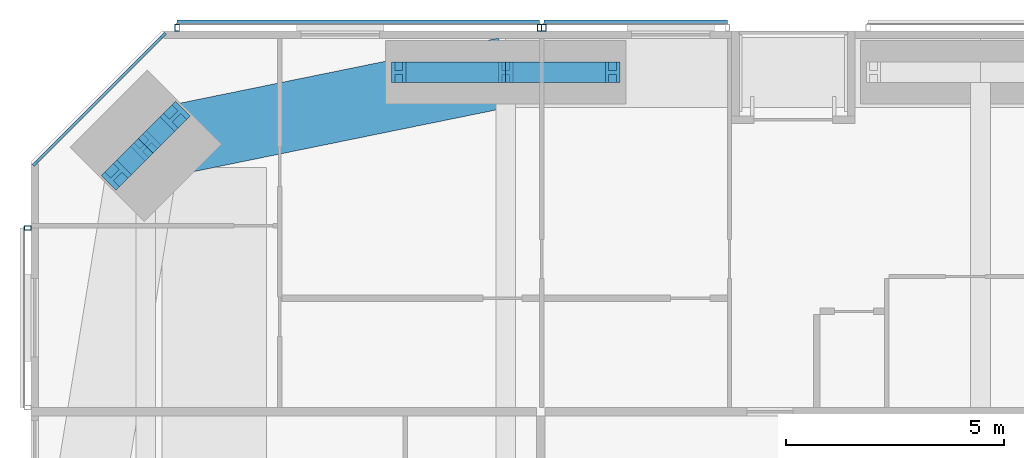
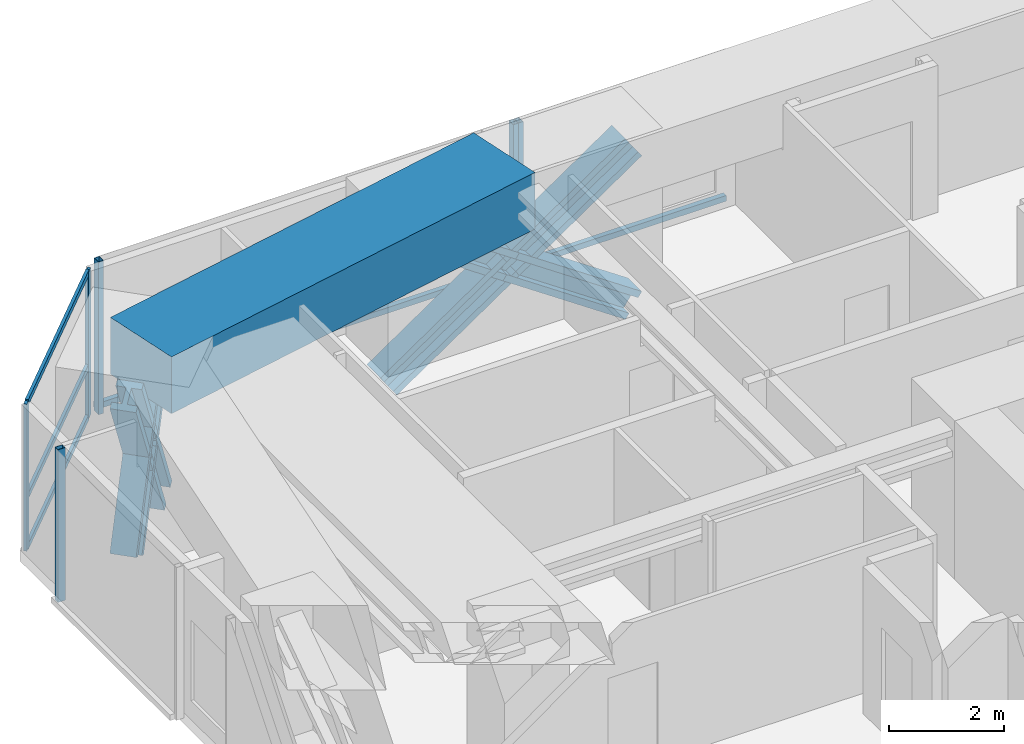
# One storey, part 12 of 24: 19 members, 1 beam, 4 elements without a shape of their own.
"""IFC4 building model written with IfcOpenShell, lengths in metres."""

from ifc_helpers import new_model, si_unit, direction, frame, origin, origin_2d, place, context, subcontext, project, spatial, rectangle, hollow_rectangle, i_section, extrude, material, material_profile, profile_set, type_object, element, aggregate, save


model = new_model("IFC4")

# Units and contexts
model_context = context("Model", 3, precision=1e-05, world=origin(), true_north=direction((0.0, 1.0)))
body_context = subcontext(model_context, "Body", "Model", "MODEL_VIEW")
ifc_project = project(units=[si_unit("LENGTHUNIT", "METRE"), si_unit("AREAUNIT", "SQUARE_METRE"), si_unit("VOLUMEUNIT", "CUBIC_METRE"), si_unit("PLANEANGLEUNIT", "RADIAN"), si_unit("MASSUNIT", "GRAM", prefix="KILO")], contexts=[model_context])

# Site, building, storey
site_placement = place(None, origin())
site = spatial("IfcSite", under=ifc_project, at=site_placement, CompositionType="ELEMENT")
building_placement = place(site_placement, origin())
building = spatial("IfcBuilding", under=site, at=building_placement, Name="Jalousie Tower", CompositionType="ELEMENT")
storey_placement = place(building_placement, frame((0.0, 0.0, 124.949951171875)))
storey = spatial("IfcBuildingStorey", under=building, at=storey_placement, Name="L34", CompositionType="ELEMENT", Elevation=124.949951171875)

# Curtain wall, members
ifc_material_1 = material(Name="Aluminium curtain wall", Category="aluminium")
curtain_wall_type_1 = type_object("IfcCurtainWallType", Name="CORNER WINDOW WALL", PredefinedType="USERDEFINED", material=ifc_material_1)
curtain_wall_1_placement = place(storey_placement, origin())
curtain_wall_1 = element("IfcCurtainWall", 1, at=curtain_wall_1_placement, inside=storey, type_object=curtain_wall_type_1, Name="Corner Window Wall L34 6", ObjectType="CORNER WINDOW WALL", PredefinedType="USERDEFINED")
ifc_material_2 = material(Name="Aluminium mullion", Category="aluminium")
ifc_material_profile_1 = material_profile(ifc_material_2, rectangle(XDim=0.06005859375, YDim=0.14990234375, at=origin_2d()), Name="MULLION 60x150")
ifc_profile_set_1 = profile_set([ifc_material_profile_1], Name="Aluminium mullion")
member_type_1 = type_object("IfcMemberType", Name="CORNER WINDOW WALL MULLION", PredefinedType="MULLION", material=ifc_profile_set_1)
member_1_placement = place(storey_placement, frame((9.030029296875, 37.891357421875, 0.0), z_axis=(0.0, 0.0, 1.0), x_axis=(0.707106781187, -0.707106781187, 0.0)))
member_1 = element("IfcMember", 2, at=member_1_placement, type_object=member_type_1, Name="CW-C mullion 1", PredefinedType="MULLION", context=body_context, shape_type="SweptSolid", body=[
    extrude(rectangle(XDim=0.06005859375, YDim=0.14990234375, at=origin_2d()), origin(), (0.0, 0.0, 1.0), 3.110107421875),
])
member_2_placement = place(storey_placement, frame((6.108642578125, 34.969970703125, 0.0), z_axis=(0.0, 0.0, 1.0), x_axis=(0.707106781187, -0.707106781187, 0.0)))
member_2 = element("IfcMember", 3, at=member_2_placement, type_object=member_type_1, Name="CW-C mullion 2", PredefinedType="MULLION", context=body_context, shape_type="SweptSolid", body=[
    extrude(rectangle(XDim=0.06005859375, YDim=0.14990234375, at=origin_2d()), origin(), (0.0, 0.0, 1.0), 3.110107421875),
])
ifc_material_3 = material(Name="Aluminium transom", Category="aluminium")
ifc_material_profile_2 = material_profile(ifc_material_3, rectangle(XDim=0.06005859375, YDim=0.1201171875, at=origin_2d()), Name="TRANSOM 60x120")
ifc_profile_set_2 = profile_set([ifc_material_profile_2], Name="Aluminium transom")
member_type_2 = type_object("IfcMemberType", Name="CORNER WINDOW WALL TRANSOM", PredefinedType="USERDEFINED", material=ifc_profile_set_2)
member_3_placement = place(storey_placement, frame((9.0087890625, 37.8701171875, 0.030029296875), z_axis=(-0.707106781187, -0.707106781187, 0.0), x_axis=(0.707106781187, -0.707106781187, 0.0)))
member_3 = element("IfcMember", 4, at=member_3_placement, type_object=member_type_2, Name="CW-C transom 1.1", ObjectType="TRANSOM", PredefinedType="USERDEFINED", context=body_context, shape_type="SweptSolid", body=[
    extrude(rectangle(XDim=0.06005859375, YDim=0.1201171875, at=origin_2d()), origin(), (0.0, 0.0, 1.0), 4.0712890625),
])
member_4_placement = place(storey_placement, frame((9.0087890625, 37.8701171875, 1.10009765625), z_axis=(-0.707106781187, -0.707106781187, 0.0), x_axis=(0.707106781187, -0.707106781187, 0.0)))
member_4 = element("IfcMember", 5, at=member_4_placement, type_object=member_type_2, Name="CW-C transom 1.2", ObjectType="TRANSOM", PredefinedType="USERDEFINED", context=body_context, shape_type="SweptSolid", body=[
    extrude(rectangle(XDim=0.06005859375, YDim=0.1201171875, at=origin_2d()), origin(), (0.0, 0.0, 1.0), 4.0712890625),
])
member_5_placement = place(storey_placement, frame((9.0087890625, 37.8701171875, 3.080078125), z_axis=(-0.707106781187, -0.707106781187, 0.0), x_axis=(0.707106781187, -0.707106781187, 0.0)))
member_5 = element("IfcMember", 6, at=member_5_placement, type_object=member_type_2, Name="CW-C transom 1.3", ObjectType="TRANSOM", PredefinedType="USERDEFINED", context=body_context, shape_type="SweptSolid", body=[
    extrude(rectangle(XDim=0.06005859375, YDim=0.1201171875, at=origin_2d()), origin(), (0.0, 0.0, 1.0), 4.0712890625),
])
aggregate(curtain_wall_1, [member_1, member_2, member_3, member_4, member_5])

# Members
ifc_material_4 = material(Name="Steel ASTM A992 Grade 50", Category="steel")
ifc_material_profile_3 = material_profile(ifc_material_4, i_section(OverallWidth=0.472412109375, OverallDepth=0.5791015625, WebThickness=0.094970703125, FlangeThickness=0.1298828125, at=origin_2d()), Name="W14X808")
ifc_profile_set_3 = profile_set([ifc_material_profile_3], Name="Steel ASTM A992 Grade 50")
member_type_3 = type_object("IfcMemberType", Name="PERIMETER BRACE W14X808", PredefinedType="BRACE", material=ifc_profile_set_3)
for number, where, z_axis, x_axis, name in (
    (7, (14.425048828125, 37.050048828125, -0.599853515625), (0.825539243753, 0.0, 0.564344714713), (0.0, 1.0, 0.0), "Perimeter brace 11 L34 part 1"),
    (8, (16.875, 37.050048828125, 1.074951171875), (0.825500916831, 0.0, 0.564400776321), (0.0, 1.0, 0.0), "Perimeter brace 11 L34 part 2"),
    (9, (19.324951171875, 37.050048828125, -0.599853515625), (-0.825539243753, 0.0, 0.564344714713), (0.0, -1.0, 0.0), "Perimeter brace 11 L34 part 3"),
    (10, (16.875, 37.050048828125, 1.074951171875), (-0.825500916831, 0.0, 0.564400776321), (0.0, -1.0, 0.0), "Perimeter brace 11 L34 part 4"),
):
    element("IfcMember", number, at=place(storey_placement, frame(where, z_axis=z_axis, x_axis=x_axis)), inside=storey, type_object=member_type_3, Name=name, PredefinedType="BRACE", context=body_context, shape_type="SweptSolid", body=[
        extrude(i_section(OverallWidth=0.472412109375, OverallDepth=0.5791015625, WebThickness=0.094970703125, FlangeThickness=0.1298828125, at=origin_2d()), origin(), (0.0, 0.0, 1.0), 2.9677734375),
    ])
member_6_placement = place(storey_placement, frame((9.302978515625, 36.040283203125, -0.599853515625), z_axis=(-0.348827529765, -0.348827529765, 0.869849819771), x_axis=(0.707106781187, -0.707106781187, 0.0)))
element("IfcMember", 11, at=member_6_placement, inside=storey, type_object=member_type_3, Name="Perimeter brace 12 L34 part 1", PredefinedType="BRACE", context=body_context, shape_type="SweptSolid", body=[
    extrude(i_section(OverallWidth=0.472412109375, OverallDepth=0.5791015625, WebThickness=0.094970703125, FlangeThickness=0.1298828125, at=origin_2d()), origin(), (0.0, 0.0, 1.0), 1.92529296875),
])
member_7_placement = place(storey_placement, frame((8.63134765625, 35.36865234375, 1.074951171875), z_axis=(-0.348789058631, -0.348789058631, 0.869880672943), x_axis=(0.707106781187, -0.707106781187, 0.0)))
element("IfcMember", 12, at=member_7_placement, inside=storey, type_object=member_type_3, Name="Perimeter brace 12 L34 part 2", PredefinedType="BRACE", context=body_context, shape_type="SweptSolid", body=[
    extrude(i_section(OverallWidth=0.472412109375, OverallDepth=0.5791015625, WebThickness=0.094970703125, FlangeThickness=0.1298828125, at=origin_2d()), origin(), (0.0, 0.0, 1.0), 1.925537109375),
])
member_8_placement = place(storey_placement, frame((7.959716796875, 34.697021484375, -0.599853515625), z_axis=(0.348827529765, 0.348827529765, 0.869849819771), x_axis=(-0.707106781187, 0.707106781187, 0.0)))
element("IfcMember", 13, at=member_8_placement, inside=storey, type_object=member_type_3, Name="Perimeter brace 12 L34 part 3", PredefinedType="BRACE", context=body_context, shape_type="SweptSolid", body=[
    extrude(i_section(OverallWidth=0.472412109375, OverallDepth=0.5791015625, WebThickness=0.094970703125, FlangeThickness=0.1298828125, at=origin_2d()), origin(), (0.0, 0.0, 1.0), 1.92529296875),
])
member_9_placement = place(storey_placement, frame((8.63134765625, 35.36865234375, 1.074951171875), z_axis=(0.348789058631, 0.348789058631, 0.869880672943), x_axis=(-0.707106781187, 0.707106781187, 0.0)))
element("IfcMember", 14, at=member_9_placement, inside=storey, type_object=member_type_3, Name="Perimeter brace 12 L34 part 4", PredefinedType="BRACE", context=body_context, shape_type="SweptSolid", body=[
    extrude(i_section(OverallWidth=0.472412109375, OverallDepth=0.5791015625, WebThickness=0.094970703125, FlangeThickness=0.1298828125, at=origin_2d()), origin(), (0.0, 0.0, 1.0), 1.925537109375),
])

# Beam
ifc_material_5 = material(Name="Concrete f'c 40 MPa", Category="concrete")
ifc_material_profile_4 = material_profile(ifc_material_5, rectangle(XDim=1.60009765625, YDim=1.199951171875, at=origin_2d()), Name="RC 1600x1200")
ifc_profile_set_4 = profile_set([ifc_material_profile_4], Name="Concrete f'c 40 MPa")
beam_type = type_object("IfcBeamType", Name="RC BEAM 1600x1200", PredefinedType="BEAM", material=ifc_profile_set_4)
beam_placement = place(storey_placement, frame((16.875, 37.050048828125, 2.75), z_axis=(-0.97982690954, -0.199848010602, 0.0), x_axis=(0.199848010602, -0.97982690954, 0.0)))
element("IfcBeam", 15, at=beam_placement, inside=storey, type_object=beam_type, Name="Edge band beam 11-12 under L35", PredefinedType="BEAM", context=body_context, shape_type="SweptSolid", body=[
    extrude(rectangle(XDim=1.60009765625, YDim=1.199951171875, at=origin_2d()), origin(), (0.0, 0.0, 1.0), 8.413330078125),
])

# Curtain wall, member
ifc_material_6 = material(Name="Perforated aluminium sheet", Category="aluminium")
curtain_wall_type_2 = type_object("IfcCurtainWallType", Name="SOLAR SCREEN SS-1", PredefinedType="USERDEFINED", material=ifc_material_6)
curtain_wall_2_placement = place(storey_placement, origin())
curtain_wall_2 = element("IfcCurtainWall", 16, at=curtain_wall_2_placement, inside=storey, type_object=curtain_wall_type_2, Name="Solar screen L34", ObjectType="SOLAR SCREEN SS-1", PredefinedType="USERDEFINED")
ifc_material_7 = material(Name="Steel ASTM A500 Grade C", Category="steel")
ifc_material_profile_5 = material_profile(ifc_material_7, hollow_rectangle(XDim=0.1015625, YDim=0.15234375, WallThickness=0.00634765625, at=origin_2d()), Name="HSS6X4X1/4")
ifc_profile_set_5 = profile_set([ifc_material_profile_5], Name="Steel ASTM A500 Grade C")
member_type_4 = type_object("IfcMemberType", Name="SOLAR SCREEN SS-1 MULLION", PredefinedType="MULLION", material=ifc_profile_set_5)
member_10_placement = place(storey_placement, frame((17.75, 38.0712890625, -0.119873046875), z_axis=(0.0, 0.0, 1.0), x_axis=(-1.0, 0.0, 0.0)))
member_10 = element("IfcMember", 17, at=member_10_placement, type_object=member_type_4, Name="SS1 post 2", PredefinedType="MULLION", context=body_context, shape_type="SweptSolid", body=[
    extrude(hollow_rectangle(XDim=0.1015625, YDim=0.15234375, WallThickness=0.00634765625, at=origin_2d()), origin(), (0.0, 0.0, 1.0), 3.22998046875),
])

# Curtain wall, members
curtain_wall_3_placement = place(storey_placement, origin())
curtain_wall_3 = element("IfcCurtainWall", 18, at=curtain_wall_3_placement, inside=storey, type_object=curtain_wall_type_2, Name="Solar screen L34", ObjectType="SOLAR SCREEN SS-1", PredefinedType="USERDEFINED")
member_11_placement = place(storey_placement, frame((17.64990234375, 38.0712890625, -0.119873046875), z_axis=(0.0, 0.0, 1.0), x_axis=(-1.0, 0.0, 0.0)))
member_11 = element("IfcMember", 19, at=member_11_placement, type_object=member_type_4, Name="SS1 post 1", PredefinedType="MULLION", context=body_context, shape_type="SweptSolid", body=[
    extrude(hollow_rectangle(XDim=0.1015625, YDim=0.15234375, WallThickness=0.00634765625, at=origin_2d()), origin(), (0.0, 0.0, 1.0), 3.22998046875),
])
member_12_placement = place(storey_placement, frame((9.351318359375, 38.0712890625, -0.119873046875), z_axis=(0.0, 0.0, 1.0), x_axis=(-1.0, 0.0, 0.0)))
member_12 = element("IfcMember", 20, at=member_12_placement, type_object=member_type_4, Name="SS1 post 2", PredefinedType="MULLION", context=body_context, shape_type="SweptSolid", body=[
    extrude(hollow_rectangle(XDim=0.1015625, YDim=0.15234375, WallThickness=0.00634765625, at=origin_2d()), origin(), (0.0, 0.0, 1.0), 3.22998046875),
])

# Curtain wall, member
curtain_wall_4_placement = place(storey_placement, origin())
curtain_wall_4 = element("IfcCurtainWall", 21, at=curtain_wall_4_placement, inside=storey, type_object=curtain_wall_type_2, Name="Solar screen L34", ObjectType="SOLAR SCREEN SS-1", PredefinedType="USERDEFINED")
member_13_placement = place(storey_placement, frame((5.9287109375, 33.486083984375, -0.119873046875), z_axis=(0.0, 0.0, 1.0), x_axis=(0.0, -1.0, 0.0)))
member_13 = element("IfcMember", 22, at=member_13_placement, type_object=member_type_4, Name="SS1 post 1", PredefinedType="MULLION", context=body_context, shape_type="SweptSolid", body=[
    extrude(hollow_rectangle(XDim=0.1015625, YDim=0.15234375, WallThickness=0.00634765625, at=origin_2d()), origin(), (0.0, 0.0, 1.0), 3.22998046875),
])
aggregate(curtain_wall_4, [member_13])

# Member
ifc_material_8 = material(Name="Extruded aluminium screen rail", Category="aluminium")
ifc_material_profile_6 = material_profile(ifc_material_8, rectangle(XDim=0.1015625, YDim=0.1201171875, at=origin_2d()), Name="RAIL 102x120")
ifc_profile_set_6 = profile_set([ifc_material_profile_6], Name="Extruded aluminium screen rail")
member_type_5 = type_object("IfcMemberType", Name="SOLAR SCREEN SS-1 TRANSOM", PredefinedType="USERDEFINED", material=ifc_profile_set_6)
member_14_placement = place(storey_placement, frame((21.949951171875, 38.1982421875, -0.06005859375), z_axis=(-1.0, 0.0, 0.0), x_axis=(0.0, -1.0, 0.0)))
member_14 = element("IfcMember", 23, at=member_14_placement, type_object=member_type_5, Name="SS1 rail", ObjectType="TRANSOM", PredefinedType="USERDEFINED", context=body_context, shape_type="SweptSolid", body=[
    extrude(rectangle(XDim=0.1015625, YDim=0.1201171875, at=origin_2d()), origin(), (0.0, 0.0, 1.0), 4.199951171875),
])

aggregate(curtain_wall_2, [member_10, member_14])

member_15_placement = place(storey_placement, frame((17.64990234375, 38.1982421875, -0.06005859375), z_axis=(-1.0, 0.0, 0.0), x_axis=(0.0, -1.0, 0.0)))
member_15 = element("IfcMember", 24, at=member_15_placement, type_object=member_type_5, Name="SS1 rail", ObjectType="TRANSOM", PredefinedType="USERDEFINED", context=body_context, shape_type="SweptSolid", body=[
    extrude(rectangle(XDim=0.1015625, YDim=0.1201171875, at=origin_2d()), origin(), (0.0, 0.0, 1.0), 8.298583984375),
])

aggregate(curtain_wall_3, [member_11, member_12, member_15])

save(model, "model.ifc")
